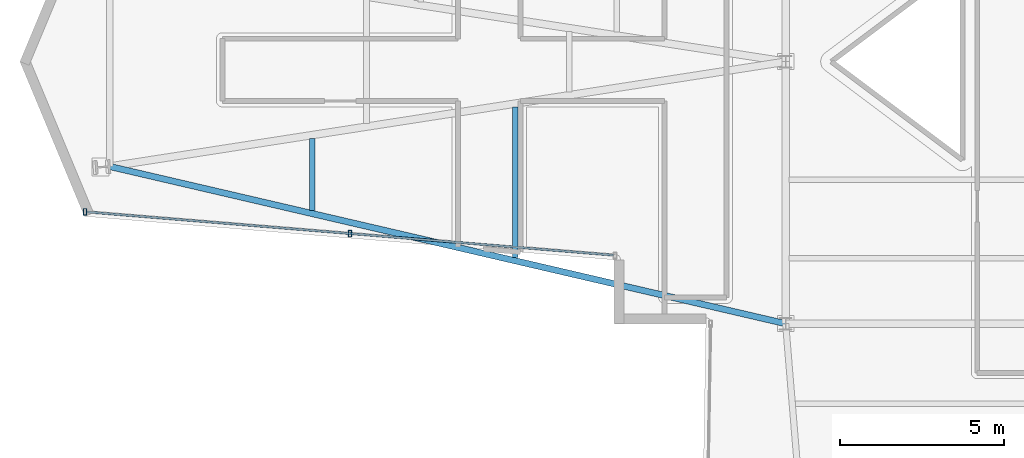
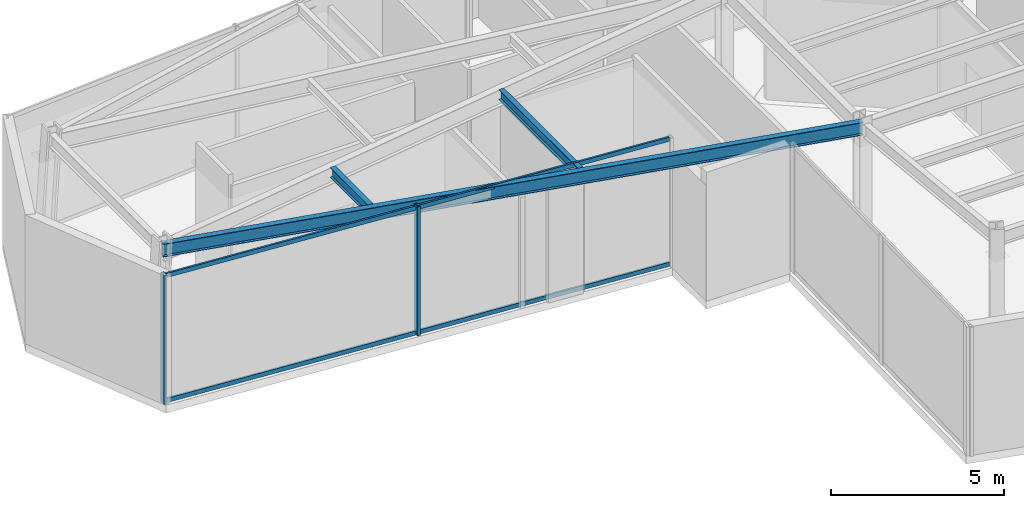
# One storey, part 2 of 13: 4 members, 3 beams, 1 element without a shape of its own.
"""IFC4 building model written with IfcOpenShell, lengths in metres."""

from ifc_helpers import new_model, si_unit, direction, frame, origin, origin_2d, place, context, subcontext, project, spatial, hollow_rectangle, i_section, extrude, material, layer, layer_set, material_profile, profile_set, type_object, element, aggregate, save


model = new_model("IFC4")

# Units and contexts
model_context = context("Model", 3, precision=1e-05, world=origin(), true_north=direction((0.0, 1.0)))
body_context = subcontext(model_context, "Body", "Model", "MODEL_VIEW")
ifc_project = project(units=[si_unit("LENGTHUNIT", "METRE"), si_unit("AREAUNIT", "SQUARE_METRE"), si_unit("VOLUMEUNIT", "CUBIC_METRE"), si_unit("PLANEANGLEUNIT", "RADIAN"), si_unit("MASSUNIT", "GRAM", prefix="KILO")], contexts=[model_context])

# Site, building, storey
site_placement = place(None, origin())
site = spatial("IfcSite", under=ifc_project, at=site_placement, CompositionType="ELEMENT")
building_placement = place(site_placement, origin())
building = spatial("IfcBuilding", under=site, at=building_placement, Name="Veymaron Broadcast Tower", CompositionType="ELEMENT")
storey_placement = place(building_placement, frame((0.0, 0.0, 112.050048828125)))
storey = spatial("IfcBuildingStorey", under=building, at=storey_placement, Name="L25", CompositionType="ELEMENT", Elevation=112.050048828125)

# Beams
ifc_material_1 = material(Name="Structural steel ASTM A992 Gr 50", Category="steel")
ifc_material_profile_1 = material_profile(ifc_material_1, i_section(OverallWidth=0.1708984375, OverallDepth=0.35498046875, WebThickness=0.007080078125, FlangeThickness=0.01171875, at=origin_2d()), Name="W360X51")
ifc_profile_set_1 = profile_set([ifc_material_profile_1], Name="Structural steel ASTM A992 Gr 50")
beam_type_1 = type_object("IfcBeamType", Name="BM-JS2", PredefinedType="JOIST", material=ifc_profile_set_1)
beam_1_placement = place(storey_placement, frame((16.751953125, 19.4599609375, 4.382568359375), z_axis=(0.0, 1.0, 0.0), x_axis=(-1.0, 0.0, 0.0)))
element("IfcBeam", 1, at=beam_1_placement, inside=storey, type_object=beam_type_1, Name="L25 Arm-A secondary joist 1S", PredefinedType="JOIST", context=body_context, shape_type="SweptSolid", body=[
    extrude(i_section(OverallWidth=0.1708984375, OverallDepth=0.35498046875, WebThickness=0.007080078125, FlangeThickness=0.01171875, at=origin_2d()), origin(), (0.0, 0.0, 1.0), 2.199951171875),
])
beam_2_placement = place(storey_placement, frame((22.944091796875, 18.02001953125, 4.382568359375), z_axis=(0.0, 1.0, 0.0), x_axis=(-1.0, 0.0, 0.0)))
element("IfcBeam", 2, at=beam_2_placement, inside=storey, type_object=beam_type_1, Name="L25 Arm-A secondary joist 2S", PredefinedType="JOIST", context=body_context, shape_type="SweptSolid", body=[
    extrude(i_section(OverallWidth=0.1708984375, OverallDepth=0.35498046875, WebThickness=0.007080078125, FlangeThickness=0.01171875, at=origin_2d()), origin(), (0.0, 0.0, 1.0), 4.60009765625),
])
ifc_material_profile_2 = material_profile(ifc_material_1, i_section(OverallWidth=0.19091796875, OverallDepth=0.4599609375, WebThickness=0.010009765625, FlangeThickness=0.01611328125, at=origin_2d()), Name="W460X82")
ifc_profile_set_2 = profile_set([ifc_material_profile_2], Name="Structural steel ASTM A992 Gr 50")
beam_type_2 = type_object("IfcBeamType", Name="BM-SP1", PredefinedType="SPANDREL", material=ifc_profile_set_2)
beam_3_placement = place(storey_placement, frame((10.56005859375, 20.800048828125, 4.329833984375), z_axis=(0.974007258565, -0.226516799075, 0.0), x_axis=(0.226516799075, 0.974007258565, 0.0)))
element("IfcBeam", 3, at=beam_3_placement, inside=storey, type_object=beam_type_2, Name="L25 primary structural floor girder", PredefinedType="SPANDREL", context=body_context, shape_type="SweptSolid", body=[
    extrude(i_section(OverallWidth=0.19091796875, OverallDepth=0.4599609375, WebThickness=0.010009765625, FlangeThickness=0.01611328125, at=origin_2d()), origin(), (0.0, 0.0, 1.0), 21.190673828125),
])

# Curtain wall, members
ifc_material_2 = material(Name="Anodised aluminium AA 6063-T6 and laminated low-E dark glass", Category="aluminium")
ifc_layer = layer(ifc_material_2, 0.179931640625)
ifc_layer_set = layer_set([ifc_layer], Name="Anodised aluminium AA 6063-T6 and laminated low-E dark glass")
curtain_wall_type = type_object("IfcCurtainWallType", Name="CW-SYS-04", PredefinedType="NOTDEFINED", material=ifc_layer_set)
curtain_wall_placement = place(storey_placement, origin())
curtain_wall = element("IfcCurtainWall", 4, at=curtain_wall_placement, inside=storey, type_object=curtain_wall_type, Name="L25 dark-glass curtain wall CW-L25-E14-1", PredefinedType="NOTDEFINED")
ifc_material_3 = material(Name="Anodised aluminium AA 6063-T6", Category="aluminium")
ifc_material_profile_3 = material_profile(ifc_material_3, hollow_rectangle(XDim=0.10009765625, YDim=0.199951171875, WallThickness=0.010009765625, at=origin_2d()), Name="RHS200X100X10")
ifc_profile_set_3 = profile_set([ifc_material_profile_3], Name="Anodised aluminium AA 6063-T6")
member_type_1 = type_object("IfcMemberType", Name="CW-MUL-01", PredefinedType="MULLION", material=ifc_profile_set_3)
member_1_placement = place(storey_placement, frame((9.8115234375, 19.415771484375, 0.0), z_axis=(0.0, 0.0, 1.0), x_axis=(1.0, 0.0, 0.0)))
member_1 = element("IfcMember", 5, at=member_1_placement, type_object=member_type_1, Name="CW-L25-E14-1 mullion 0", PredefinedType="MULLION", context=body_context, shape_type="SweptSolid", body=[
    extrude(hollow_rectangle(XDim=0.10009765625, YDim=0.199951171875, WallThickness=0.010009765625, at=origin_2d()), origin(), (0.0, 0.0, 1.0), 4.56005859375),
])
member_2_placement = place(storey_placement, frame((17.8994140625, 18.751953125, 0.0), z_axis=(0.0, 0.0, 1.0), x_axis=(1.0, 0.0, 0.0)))
member_2 = element("IfcMember", 6, at=member_2_placement, type_object=member_type_1, Name="CW-L25-E14-1 mullion 1", PredefinedType="MULLION", context=body_context, shape_type="SweptSolid", body=[
    extrude(hollow_rectangle(XDim=0.10009765625, YDim=0.199951171875, WallThickness=0.010009765625, at=origin_2d()), origin(), (0.0, 0.0, 1.0), 4.56005859375),
])
ifc_material_profile_4 = material_profile(ifc_material_3, hollow_rectangle(XDim=0.06494140625, YDim=0.14990234375, WallThickness=0.00390625, at=origin_2d()), Name="AL150X65X4")
ifc_profile_set_4 = profile_set([ifc_material_profile_4], Name="Anodised aluminium AA 6063-T6")
member_type_2 = type_object("IfcMemberType", Name="CW-TRN-01", PredefinedType="USERDEFINED", material=ifc_profile_set_4)
member_3_placement = place(storey_placement, frame((9.861328125, 19.41162109375, 0.070068359375), z_axis=(0.996649455762, -0.081791578596, 0.0), x_axis=(0.081791578596, 0.996649455762, 0.0)))
member_3 = element("IfcMember", 7, at=member_3_placement, type_object=member_type_2, Name="CW-L25-E14-1 transom B", ObjectType="TRANSOM", PredefinedType="USERDEFINED", context=body_context, shape_type="SweptSolid", body=[
    extrude(hollow_rectangle(XDim=0.06494140625, YDim=0.14990234375, WallThickness=0.00390625, at=origin_2d()), origin(), (0.0, 0.0, 1.0), 16.13037109375),
])
member_4_placement = place(storey_placement, frame((9.861328125, 19.41162109375, 4.489990234375), z_axis=(0.996649455762, -0.081791578596, 0.0), x_axis=(0.081791578596, 0.996649455762, 0.0)))
member_4 = element("IfcMember", 8, at=member_4_placement, type_object=member_type_2, Name="CW-L25-E14-1 transom T", ObjectType="TRANSOM", PredefinedType="USERDEFINED", context=body_context, shape_type="SweptSolid", body=[
    extrude(hollow_rectangle(XDim=0.06494140625, YDim=0.14990234375, WallThickness=0.00390625, at=origin_2d()), origin(), (0.0, 0.0, 1.0), 16.13037109375),
])
aggregate(curtain_wall, [member_1, member_2, member_3, member_4])

save(model, "model.ifc")
